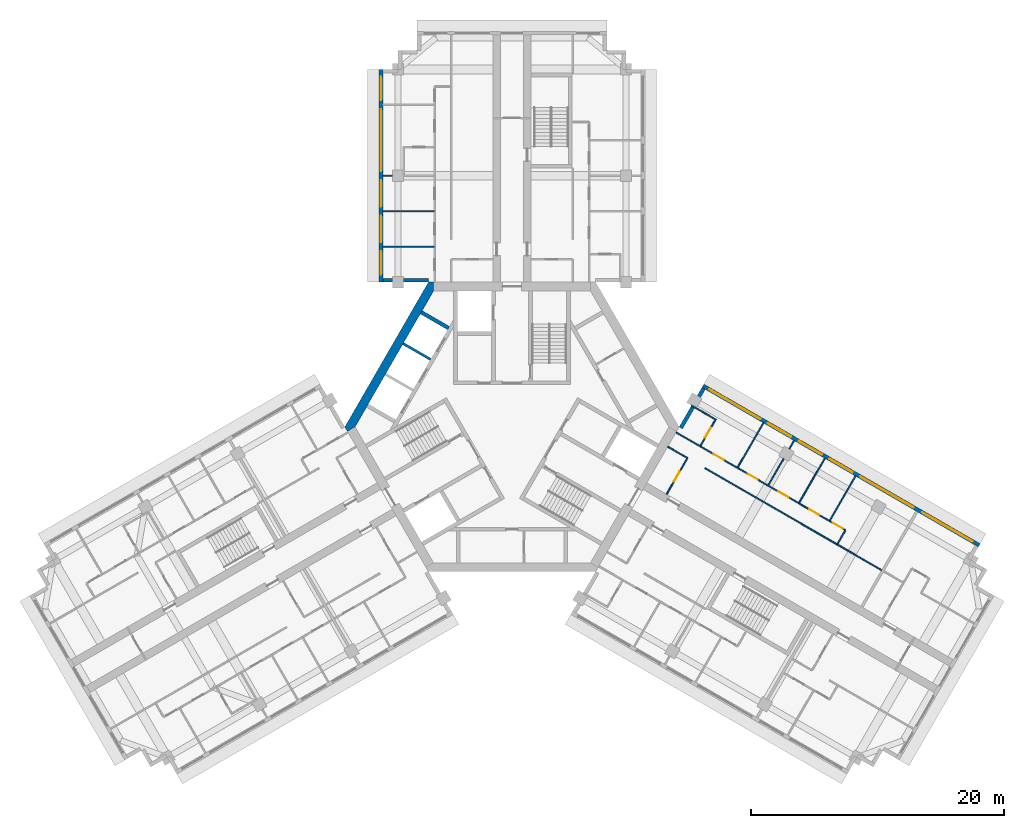
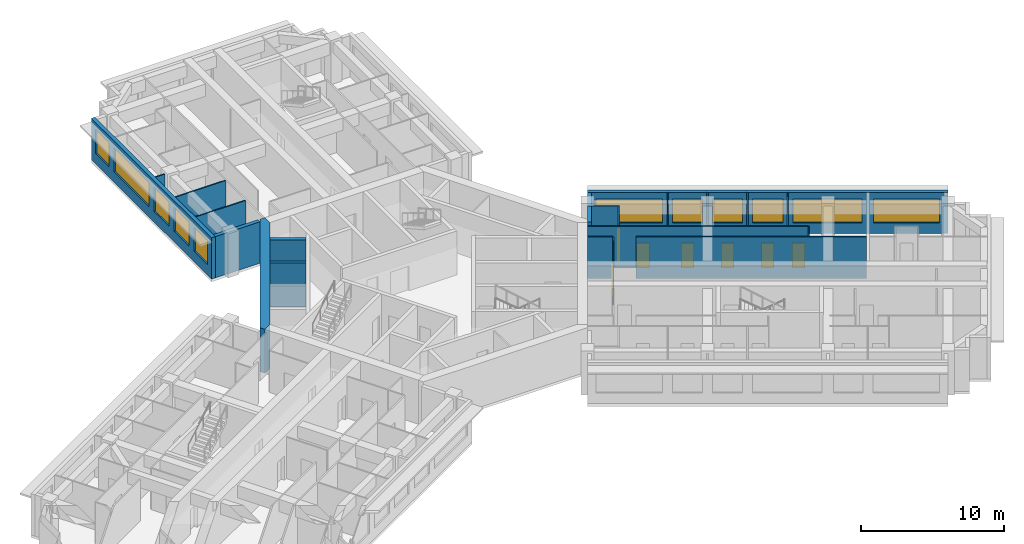
# One storey, part 7 of 12: 22 walls, 11 windows, 7 doors, 18 openings.
"""IFC4 building model written with IfcOpenShell, lengths in metres."""

from ifc_helpers import new_model, si_unit, direction, frame, frame_2d, origin, place, context, subcontext, project, spatial, polyline, rectangle, outline, extrude, material, layer, layer_set, type_object, element, fill, save


model = new_model("IFC4")

# Units and contexts
model_context = context("Model", 3, precision=1e-05, world=origin(), true_north=direction((0.0, 1.0)))
body_context = subcontext(model_context, "Body", "Model", "MODEL_VIEW")
ifc_project = project(units=[si_unit("LENGTHUNIT", "METRE"), si_unit("AREAUNIT", "SQUARE_METRE"), si_unit("VOLUMEUNIT", "CUBIC_METRE"), si_unit("PLANEANGLEUNIT", "RADIAN"), si_unit("MASSUNIT", "GRAM", prefix="KILO")], contexts=[model_context])

# Site, building, storey
site_placement = place(None, origin())
site = spatial("IfcSite", under=ifc_project, at=site_placement, CompositionType="ELEMENT")
building_placement = place(site_placement, origin())
building = spatial("IfcBuilding", under=site, at=building_placement, Name="Impinga Residences", CompositionType="ELEMENT")
storey_placement = place(building_placement, frame((0.0, 0.0, 214.75)))
storey = spatial("IfcBuildingStorey", under=building, at=storey_placement, Name="L53", CompositionType="ELEMENT", Elevation=214.75)

# Wall
ifc_material_1 = material(Name="Terracotta rainscreen on blockwork", Category="masonry")
ifc_layer_1 = layer(ifc_material_1, 0.300048828125)
ifc_layer_set_1 = layer_set([ifc_layer_1], Name="EW1 external wall, terracotta rainscreen on blockwork 300")
wall_type_1 = type_object("IfcWallType", Name="EW1 external wall, terracotta rainscreen on blockwork 300", PredefinedType="SOLIDWALL", material=ifc_layer_set_1)
wall_1_placement = place(storey_placement, frame((-6.60009765625, 11.58154296875, 0.0), z_axis=(0.0, 0.0, 1.0), x_axis=(-1.0, 0.0, 0.0)))
element("IfcWall", 1, at=wall_1_placement, inside=storey, type_object=wall_type_1, Name="External wall EW1 L53", PredefinedType="SOLIDWALL", context=body_context, shape_type="SweptSolid", body=[
    extrude(rectangle(XDim=3.599853515625, YDim=0.300048828125, at=frame_2d((1.7998046875, 0.0))), origin(), (0.0, 0.0, 1.0), 3.530029296875),
])

# Wall, openings, windows
wall_2_placement = place(storey_placement, frame((-10.35009765625, 11.431640625, 0.0), z_axis=(0.0, 0.0, 1.0), x_axis=(0.0, 1.0, 0.0)))
wall_2 = element("IfcWall", 2, at=wall_2_placement, inside=storey, type_object=wall_type_1, Name="External wall EW1 L53", PredefinedType="SOLIDWALL", context=body_context, shape_type="SweptSolid", body=[
    extrude(rectangle(XDim=16.7998046875, YDim=0.300048828125, at=frame_2d((8.39990234375, 0.0))), origin(), (0.0, 0.0, 1.0), 3.530029296875),
])
opening_1_placement = place(wall_2_placement, frame((0.60009765625, 0.0, 0.89990234375)))
opening_1 = element("IfcOpeningElement", 3, at=opening_1_placement, cuts=wall_2, Name="Opening W15", PredefinedType="OPENING", context=body_context, shape_type="SweptSolid", body=[
    extrude(rectangle(XDim=1.85009765625, YDim=2.050048828125, at=frame_2d((0.925048828125, 1.02490234375))), frame((0.0, 0.159912109375, 0.0), z_axis=(0.0, -1.0, 0.0), x_axis=(1.0, 0.0, 0.0)), (0.0, 0.0, 1.0), 0.320068359375),
])
opening_2_placement = place(wall_2_placement, frame((3.14990234375, 0.0, 0.89990234375)))
opening_2 = element("IfcOpeningElement", 4, at=opening_2_placement, cuts=wall_2, Name="Opening W9", PredefinedType="OPENING", context=body_context, shape_type="SweptSolid", body=[
    extrude(rectangle(XDim=2.10009765625, YDim=2.050048828125, at=frame_2d((1.050048828125, 1.02490234375))), frame((0.0, 0.159912109375, 0.0), z_axis=(0.0, -1.0, 0.0), x_axis=(1.0, 0.0, 0.0)), (0.0, 0.0, 1.0), 0.320068359375),
])
opening_3_placement = place(wall_2_placement, frame((5.949951171875, 0.0, 0.89990234375)))
opening_3 = element("IfcOpeningElement", 5, at=opening_3_placement, cuts=wall_2, Name="Opening W9", PredefinedType="OPENING", context=body_context, shape_type="SweptSolid", body=[
    extrude(rectangle(XDim=2.10009765625, YDim=2.050048828125, at=frame_2d((1.050048828125, 1.02490234375))), frame((0.0, 0.159912109375, 0.0), z_axis=(0.0, -1.0, 0.0), x_axis=(1.0, 0.0, 0.0)), (0.0, 0.0, 1.0), 0.320068359375),
])
opening_4_placement = place(wall_2_placement, frame((8.75, 0.0, 0.89990234375)))
opening_4 = element("IfcOpeningElement", 6, at=opening_4_placement, cuts=wall_2, Name="Opening W16", PredefinedType="OPENING", context=body_context, shape_type="SweptSolid", body=[
    extrude(rectangle(XDim=4.89990234375, YDim=2.050048828125, at=frame_2d((2.449951171875, 1.02490234375))), frame((0.0, 0.159912109375, 0.0), z_axis=(0.0, -1.0, 0.0), x_axis=(1.0, 0.0, 0.0)), (0.0, 0.0, 1.0), 0.320068359375),
])
opening_5_placement = place(wall_2_placement, frame((14.35009765625, 0.0, 0.89990234375)))
opening_5 = element("IfcOpeningElement", 7, at=opening_5_placement, cuts=wall_2, Name="Opening W15", PredefinedType="OPENING", context=body_context, shape_type="SweptSolid", body=[
    extrude(rectangle(XDim=1.85009765625, YDim=2.050048828125, at=frame_2d((0.925048828125, 1.02490234375))), frame((0.0, 0.159912109375, 0.0), z_axis=(0.0, -1.0, 0.0), x_axis=(1.0, 0.0, 0.0)), (0.0, 0.0, 1.0), 0.320068359375),
])
ifc_material_2 = material(Name="Aluminium window, clear double glazing", Category="aluminium")
window_type_1 = type_object("IfcWindowType", Name="W15 ribbon window 1850x2050", PartitioningType="SINGLE_PANEL", PredefinedType="WINDOW", material=ifc_material_2)
window_1_placement = place(opening_1_placement, origin())
window_1 = element("IfcWindow", 8, at=window_1_placement, inside=storey, type_object=window_type_1, Name="Window L53", OverallHeight=2.050048828125, OverallWidth=1.85009765625, PartitioningType="SINGLE_PANEL", PredefinedType="WINDOW", context=body_context, shape_type="SweptSolid", body=[
    extrude(rectangle(XDim=1.85009765625, YDim=2.050048828125, at=frame_2d((0.925048828125, 1.02490234375))), frame((0.0, 0.030029296875, 0.0), z_axis=(0.0, -1.0, 0.0), x_axis=(1.0, 0.0, 0.0)), (0.0, 0.0, 1.0), 0.06005859375),
])
fill(opening_1, window_1)
window_2_placement = place(opening_5_placement, origin())
window_2 = element("IfcWindow", 9, at=window_2_placement, inside=storey, type_object=window_type_1, Name="Window L53", OverallHeight=2.050048828125, OverallWidth=1.85009765625, PartitioningType="SINGLE_PANEL", PredefinedType="WINDOW", context=body_context, shape_type="SweptSolid", body=[
    extrude(rectangle(XDim=1.85009765625, YDim=2.050048828125, at=frame_2d((0.925048828125, 1.02490234375))), frame((0.0, 0.030029296875, 0.0), z_axis=(0.0, -1.0, 0.0), x_axis=(1.0, 0.0, 0.0)), (0.0, 0.0, 1.0), 0.06005859375),
])
fill(opening_5, window_2)
window_type_2 = type_object("IfcWindowType", Name="W16 ribbon window 4900x2050", PartitioningType="SINGLE_PANEL", PredefinedType="WINDOW", material=ifc_material_2)
window_3_placement = place(opening_4_placement, origin())
window_3 = element("IfcWindow", 10, at=window_3_placement, inside=storey, type_object=window_type_2, Name="Window L53", OverallHeight=2.050048828125, OverallWidth=4.89990234375, PartitioningType="SINGLE_PANEL", PredefinedType="WINDOW", context=body_context, shape_type="SweptSolid", body=[
    extrude(rectangle(XDim=4.89990234375, YDim=2.050048828125, at=frame_2d((2.449951171875, 1.02490234375))), frame((0.0, 0.030029296875, 0.0), z_axis=(0.0, -1.0, 0.0), x_axis=(1.0, 0.0, 0.0)), (0.0, 0.0, 1.0), 0.06005859375),
])
fill(opening_4, window_3)
window_type_3 = type_object("IfcWindowType", Name="W9 ribbon window 2100x2050", PartitioningType="SINGLE_PANEL", PredefinedType="WINDOW", material=ifc_material_2)
window_4_placement = place(opening_2_placement, origin())
window_4 = element("IfcWindow", 11, at=window_4_placement, inside=storey, type_object=window_type_3, Name="Window L53", OverallHeight=2.050048828125, OverallWidth=2.10009765625, PartitioningType="SINGLE_PANEL", PredefinedType="WINDOW", context=body_context, shape_type="SweptSolid", body=[
    extrude(rectangle(XDim=2.10009765625, YDim=2.050048828125, at=frame_2d((1.050048828125, 1.02490234375))), frame((0.0, 0.030029296875, 0.0), z_axis=(0.0, -1.0, 0.0), x_axis=(1.0, 0.0, 0.0)), (0.0, 0.0, 1.0), 0.06005859375),
])
fill(opening_2, window_4)
window_5_placement = place(opening_3_placement, origin())
window_5 = element("IfcWindow", 12, at=window_5_placement, inside=storey, type_object=window_type_3, Name="Window L53", OverallHeight=2.050048828125, OverallWidth=2.10009765625, PartitioningType="SINGLE_PANEL", PredefinedType="WINDOW", context=body_context, shape_type="SweptSolid", body=[
    extrude(rectangle(XDim=2.10009765625, YDim=2.050048828125, at=frame_2d((1.050048828125, 1.02490234375))), frame((0.0, 0.030029296875, 0.0), z_axis=(0.0, -1.0, 0.0), x_axis=(1.0, 0.0, 0.0)), (0.0, 0.0, 1.0), 0.06005859375),
])
fill(opening_3, window_5)

# Wall
wall_3_placement = place(storey_placement, frame((13.329833984375, -0.074951171875, 0.0), z_axis=(0.0, 0.0, 1.0), x_axis=(0.500012057535, 0.866018442252, 0.0)))
element("IfcWall", 13, at=wall_3_placement, inside=storey, type_object=wall_type_1, Name="External wall EW1 L53", PredefinedType="SOLIDWALL", context=body_context, shape_type="SweptSolid", body=[
    extrude(rectangle(XDim=3.60009765625, YDim=0.300048828125, at=frame_2d((1.800048828125, 0.0))), origin(), (0.0, 0.0, 1.0), 3.530029296875),
])

# Wall, openings, windows
wall_4_placement = place(storey_placement, frame((15.074951171875, 3.24755859375, 0.0), z_axis=(0.0, 0.0, 1.0), x_axis=(0.86602925447, -0.499993330357, 0.0)))
wall_4 = element("IfcWall", 14, at=wall_4_placement, inside=storey, type_object=wall_type_1, Name="External wall EW1 L53", PredefinedType="SOLIDWALL", context=body_context, shape_type="SweptSolid", body=[
    extrude(rectangle(XDim=25.199951171875, YDim=0.300048828125, at=frame_2d((12.60009765625, 0.0))), origin(), (0.0, 0.0, 1.0), 3.530029296875),
])
opening_6_placement = place(wall_4_placement, frame((0.60009765625, 0.0, 0.89990234375)))
opening_6 = element("IfcOpeningElement", 15, at=opening_6_placement, cuts=wall_4, Name="Opening W10", PredefinedType="OPENING", context=body_context, shape_type="SweptSolid", body=[
    extrude(rectangle(XDim=4.64990234375, YDim=2.050048828125, at=frame_2d((2.324951171875, 1.02490234375))), frame((0.0, 0.159912109375, 0.0), z_axis=(0.0, -1.0, 0.0), x_axis=(1.0, 0.0, 0.0)), (0.0, 0.0, 1.0), 0.320068359375),
])
opening_7_placement = place(wall_4_placement, frame((5.949951171875, 0.0, 0.89990234375)))
opening_7 = element("IfcOpeningElement", 16, at=opening_7_placement, cuts=wall_4, Name="Opening W9", PredefinedType="OPENING", context=body_context, shape_type="SweptSolid", body=[
    extrude(rectangle(XDim=2.10009765625, YDim=2.050048828125, at=frame_2d((1.050048828125, 1.02490234375))), frame((0.0, 0.159912109375, 0.0), z_axis=(0.0, -1.0, 0.0), x_axis=(1.0, 0.0, 0.0)), (0.0, 0.0, 1.0), 0.320068359375),
])
opening_8_placement = place(wall_4_placement, frame((8.75, 0.0, 0.89990234375)))
opening_8 = element("IfcOpeningElement", 17, at=opening_8_placement, cuts=wall_4, Name="Opening W9", PredefinedType="OPENING", context=body_context, shape_type="SweptSolid", body=[
    extrude(rectangle(XDim=2.10009765625, YDim=2.050048828125, at=frame_2d((1.050048828125, 1.02490234375))), frame((0.0, 0.159912109375, 0.0), z_axis=(0.0, -1.0, 0.0), x_axis=(1.0, 0.0, 0.0)), (0.0, 0.0, 1.0), 0.320068359375),
])
opening_9_placement = place(wall_4_placement, frame((11.550048828125, 0.0, 0.89990234375)))
opening_9 = element("IfcOpeningElement", 18, at=opening_9_placement, cuts=wall_4, Name="Opening W9", PredefinedType="OPENING", context=body_context, shape_type="SweptSolid", body=[
    extrude(rectangle(XDim=2.10009765625, YDim=2.050048828125, at=frame_2d((1.050048828125, 1.02490234375))), frame((0.0, 0.159912109375, 0.0), z_axis=(0.0, -1.0, 0.0), x_axis=(1.0, 0.0, 0.0)), (0.0, 0.0, 1.0), 0.320068359375),
])
opening_10_placement = place(wall_4_placement, frame((14.35009765625, 0.0, 0.89990234375)))
opening_10 = element("IfcOpeningElement", 19, at=opening_10_placement, cuts=wall_4, Name="Opening W6", PredefinedType="OPENING", context=body_context, shape_type="SweptSolid", body=[
    extrude(rectangle(XDim=4.85009765625, YDim=2.050048828125, at=frame_2d((2.425048828125, 1.02490234375))), frame((0.0, 0.159912109375, 0.0), z_axis=(0.0, -1.0, 0.0), x_axis=(1.0, 0.0, 0.0)), (0.0, 0.0, 1.0), 0.320068359375),
])
opening_11_placement = place(wall_4_placement, frame((20.0, 0.0, 0.89990234375)))
opening_11 = element("IfcOpeningElement", 20, at=opening_11_placement, cuts=wall_4, Name="Opening W3", PredefinedType="OPENING", context=body_context, shape_type="SweptSolid", body=[
    extrude(rectangle(XDim=4.60009765625, YDim=2.050048828125, at=frame_2d((2.300048828125, 1.02490234375))), frame((0.0, 0.159912109375, 0.0), z_axis=(0.0, -1.0, 0.0), x_axis=(1.0, 0.0, 0.0)), (0.0, 0.0, 1.0), 0.320068359375),
])
window_type_4 = type_object("IfcWindowType", Name="W10 ribbon window 4650x2050", PartitioningType="SINGLE_PANEL", PredefinedType="WINDOW", material=ifc_material_2)
window_6_placement = place(opening_6_placement, origin())
window_6 = element("IfcWindow", 21, at=window_6_placement, inside=storey, type_object=window_type_4, Name="Window L53", OverallHeight=2.050048828125, OverallWidth=4.64990234375, PartitioningType="SINGLE_PANEL", PredefinedType="WINDOW", context=body_context, shape_type="SweptSolid", body=[
    extrude(rectangle(XDim=4.64990234375, YDim=2.050048828125, at=frame_2d((2.324951171875, 1.02490234375))), frame((0.0, 0.030029296875, 0.0), z_axis=(0.0, -1.0, 0.0), x_axis=(1.0, 0.0, 0.0)), (0.0, 0.0, 1.0), 0.06005859375),
])
fill(opening_6, window_6)
window_type_5 = type_object("IfcWindowType", Name="W3 ribbon window 4600x2050", PartitioningType="SINGLE_PANEL", PredefinedType="WINDOW", material=ifc_material_2)
window_7_placement = place(opening_11_placement, origin())
window_7 = element("IfcWindow", 22, at=window_7_placement, inside=storey, type_object=window_type_5, Name="Window L53", OverallHeight=2.050048828125, OverallWidth=4.60009765625, PartitioningType="SINGLE_PANEL", PredefinedType="WINDOW", context=body_context, shape_type="SweptSolid", body=[
    extrude(rectangle(XDim=4.60009765625, YDim=2.050048828125, at=frame_2d((2.300048828125, 1.02490234375))), frame((0.0, 0.030029296875, 0.0), z_axis=(0.0, -1.0, 0.0), x_axis=(1.0, 0.0, 0.0)), (0.0, 0.0, 1.0), 0.06005859375),
])
fill(opening_11, window_7)
window_type_6 = type_object("IfcWindowType", Name="W6 ribbon window 4850x2050", PartitioningType="SINGLE_PANEL", PredefinedType="WINDOW", material=ifc_material_2)
window_8_placement = place(opening_10_placement, origin())
window_8 = element("IfcWindow", 23, at=window_8_placement, inside=storey, type_object=window_type_6, Name="Window L53", OverallHeight=2.050048828125, OverallWidth=4.85009765625, PartitioningType="SINGLE_PANEL", PredefinedType="WINDOW", context=body_context, shape_type="SweptSolid", body=[
    extrude(rectangle(XDim=4.85009765625, YDim=2.050048828125, at=frame_2d((2.425048828125, 1.02490234375))), frame((0.0, 0.030029296875, 0.0), z_axis=(0.0, -1.0, 0.0), x_axis=(1.0, 0.0, 0.0)), (0.0, 0.0, 1.0), 0.06005859375),
])
fill(opening_10, window_8)
window_9_placement = place(opening_7_placement, origin())
window_9 = element("IfcWindow", 24, at=window_9_placement, inside=storey, type_object=window_type_3, Name="Window L53", OverallHeight=2.050048828125, OverallWidth=2.10009765625, PartitioningType="SINGLE_PANEL", PredefinedType="WINDOW", context=body_context, shape_type="SweptSolid", body=[
    extrude(rectangle(XDim=2.10009765625, YDim=2.050048828125, at=frame_2d((1.050048828125, 1.02490234375))), frame((0.0, 0.030029296875, 0.0), z_axis=(0.0, -1.0, 0.0), x_axis=(1.0, 0.0, 0.0)), (0.0, 0.0, 1.0), 0.06005859375),
])
fill(opening_7, window_9)
window_10_placement = place(opening_8_placement, origin())
window_10 = element("IfcWindow", 25, at=window_10_placement, inside=storey, type_object=window_type_3, Name="Window L53", OverallHeight=2.050048828125, OverallWidth=2.10009765625, PartitioningType="SINGLE_PANEL", PredefinedType="WINDOW", context=body_context, shape_type="SweptSolid", body=[
    extrude(rectangle(XDim=2.10009765625, YDim=2.050048828125, at=frame_2d((1.050048828125, 1.02490234375))), frame((0.0, 0.030029296875, 0.0), z_axis=(0.0, -1.0, 0.0), x_axis=(1.0, 0.0, 0.0)), (0.0, 0.0, 1.0), 0.06005859375),
])
fill(opening_8, window_10)
window_11_placement = place(opening_9_placement, origin())
window_11 = element("IfcWindow", 26, at=window_11_placement, inside=storey, type_object=window_type_3, Name="Window L53", OverallHeight=2.050048828125, OverallWidth=2.10009765625, PartitioningType="SINGLE_PANEL", PredefinedType="WINDOW", context=body_context, shape_type="SweptSolid", body=[
    extrude(rectangle(XDim=2.10009765625, YDim=2.050048828125, at=frame_2d((1.050048828125, 1.02490234375))), frame((0.0, 0.030029296875, 0.0), z_axis=(0.0, -1.0, 0.0), x_axis=(1.0, 0.0, 0.0)), (0.0, 0.0, 1.0), 0.06005859375),
])
fill(opening_9, window_11)

# Walls
ifc_material_3 = material(Name="Gypsum board on steel studs", Category="steel")
ifc_layer_2 = layer(ifc_material_3, 0.10009765625)
ifc_layer_set_2 = layer_set([ifc_layer_2], Name="Gypsum board on steel studs")
wall_type_2 = type_object("IfcWallType", Name="IP1 partition 100", PredefinedType="PARTITIONING", material=ifc_layer_set_2)
for number, where, z_axis, x_axis, name in (
    (27, (-6.14990234375, 14.2314453125, 0.0), (0.0, 0.0, 1.0), (-1.0, 0.0, 0.0), "Partition L53-NA1:OB1"),
    (28, (-6.14990234375, 17.031494140625, 0.0), (0.0, 0.0, 1.0), (-1.0, 0.0, 0.0), "Partition L53-NA1:OB2"),
):
    element("IfcWall", number, at=place(storey_placement, frame(where, z_axis=z_axis, x_axis=x_axis)), inside=storey, type_object=wall_type_2, Name=name, PredefinedType="PARTITIONING", context=body_context, shape_type="SweptSolid", body=[
        extrude(rectangle(XDim=4.050048828125, YDim=0.10009765625, at=frame_2d((2.02490234375, 0.0))), origin(), (0.0, 0.0, 1.0), 3.530029296875),
    ])
wall_5_placement = place(storey_placement, frame((-9.449951171875, 19.83154296875, 0.0), z_axis=(0.0, 0.0, 1.0), x_axis=(-1.0, 0.0, 0.0)))
element("IfcWall", 29, at=wall_5_placement, inside=storey, type_object=wall_type_2, Name="Partition L53-NA1:OB3b", PredefinedType="PARTITIONING", context=body_context, shape_type="SweptSolid", body=[
    extrude(rectangle(XDim=0.75, YDim=0.10009765625, at=frame_2d((0.375, 0.0))), origin(), (0.0, 0.0, 1.0), 3.530029296875),
])
wall_6_placement = place(storey_placement, frame((12.300048828125, -1.558837890625, 0.0), z_axis=(0.0, 0.0, 1.0), x_axis=(0.866047807691, -0.499961193289, 0.0)))
element("IfcWall", 30, at=wall_6_placement, inside=storey, type_object=wall_type_2, Name="Partition L53-EA1:DIV0", PredefinedType="PARTITIONING", context=body_context, shape_type="SweptSolid", body=[
    extrude(rectangle(XDim=1.800048828125, YDim=0.10009765625, at=frame_2d((0.89990234375, 0.0))), origin(), (0.0, 0.0, 1.0), 3.530029296875),
])
wall_7_placement = place(storey_placement, frame((15.244384765625, -3.2587890625, 0.0), z_axis=(0.0, 0.0, 1.0), x_axis=(0.866025740127, -0.499999417437, 0.0)))
element("IfcWall", 31, at=wall_7_placement, inside=storey, type_object=wall_type_2, Name="Partition L53-EA1:DIV1", PredefinedType="PARTITIONING", context=body_context, shape_type="SweptSolid", body=[
    extrude(rectangle(XDim=16.10009765625, YDim=0.10009765625, at=frame_2d((8.050048828125, 0.0))), origin(), (0.0, 0.0, 1.0), 3.530029296875),
])

# Wall, openings, doors
wall_8_placement = place(storey_placement, frame((12.949951171875, -0.43310546875, 0.0), z_axis=(0.0, 0.0, 1.0), x_axis=(0.866030066916, -0.499991923133, 0.0)))
wall_8 = element("IfcWall", 32, at=wall_8_placement, inside=storey, type_object=wall_type_2, Name="Partition L53-EA1:STRIP", PredefinedType="PARTITIONING", context=body_context, shape_type="SweptSolid", body=[
    extrude(rectangle(XDim=15.449951171875, YDim=0.10009765625, at=frame_2d((7.72509765625, 0.0))), origin(), (0.0, 0.0, 1.0), 3.530029296875),
])
opening_12_placement = place(wall_8_placement, frame((3.449951171875, 0.0, 0.0)))
opening_12 = element("IfcOpeningElement", 33, at=opening_12_placement, cuts=wall_8, Name="Opening D2", PredefinedType="OPENING", context=body_context, shape_type="SweptSolid", body=[
    extrude(rectangle(XDim=0.89990234375, YDim=2.10009765625, at=frame_2d((0.449951171875, 1.050048828125))), frame((0.0, 0.06005859375, 0.0), z_axis=(0.0, -1.0, 0.0), x_axis=(1.0, 0.0, 0.0)), (0.0, 0.0, 1.0), 0.1201171875),
])
opening_13_placement = place(wall_8_placement, frame((6.550048828125, 0.0, 0.0)))
opening_13 = element("IfcOpeningElement", 34, at=opening_13_placement, cuts=wall_8, Name="Opening D2", PredefinedType="OPENING", context=body_context, shape_type="SweptSolid", body=[
    extrude(rectangle(XDim=0.89990234375, YDim=2.10009765625, at=frame_2d((0.449951171875, 1.050048828125))), frame((0.0, 0.06005859375, 0.0), z_axis=(0.0, -1.0, 0.0), x_axis=(1.0, 0.0, 0.0)), (0.0, 0.0, 1.0), 0.1201171875),
])
opening_14_placement = place(wall_8_placement, frame((9.35009765625, 0.0, 0.0)))
opening_14 = element("IfcOpeningElement", 35, at=opening_14_placement, cuts=wall_8, Name="Opening D2", PredefinedType="OPENING", context=body_context, shape_type="SweptSolid", body=[
    extrude(rectangle(XDim=0.89990234375, YDim=2.10009765625, at=frame_2d((0.449951171875, 1.050048828125))), frame((0.0, 0.06005859375, 0.0), z_axis=(0.0, -1.0, 0.0), x_axis=(1.0, 0.0, 0.0)), (0.0, 0.0, 1.0), 0.1201171875),
])
opening_15_placement = place(wall_8_placement, frame((12.14990234375, 0.0, 0.0)))
opening_15 = element("IfcOpeningElement", 36, at=opening_15_placement, cuts=wall_8, Name="Opening D2", PredefinedType="OPENING", context=body_context, shape_type="SweptSolid", body=[
    extrude(rectangle(XDim=0.89990234375, YDim=2.10009765625, at=frame_2d((0.449951171875, 1.050048828125))), frame((0.0, 0.06005859375, 0.0), z_axis=(0.0, -1.0, 0.0), x_axis=(1.0, 0.0, 0.0)), (0.0, 0.0, 1.0), 0.1201171875),
])
opening_16_placement = place(wall_8_placement, frame((14.300048828125, 0.0, 0.0)))
opening_16 = element("IfcOpeningElement", 37, at=opening_16_placement, cuts=wall_8, Name="Opening D2", PredefinedType="OPENING", context=body_context, shape_type="SweptSolid", body=[
    extrude(rectangle(XDim=0.89990234375, YDim=2.10009765625, at=frame_2d((0.449951171875, 1.050048828125))), frame((0.0, 0.06005859375, 0.0), z_axis=(0.0, -1.0, 0.0), x_axis=(1.0, 0.0, 0.0)), (0.0, 0.0, 1.0), 0.1201171875),
])
ifc_material_4 = material(Name="Timber door set", Category="wood")
door_type = type_object("IfcDoorType", Name="D2 internal door 900x2100", OperationType="SINGLE_SWING_LEFT", PredefinedType="DOOR", material=ifc_material_4)
door_1_placement = place(opening_12_placement, origin())
door_1 = element("IfcDoor", 38, at=door_1_placement, inside=storey, type_object=door_type, Name="Apartment L53-EA1 room door", OperationType="SINGLE_SWING_LEFT", OverallHeight=2.10009765625, OverallWidth=0.89990234375, PredefinedType="DOOR", context=body_context, shape_type="SweptSolid", body=[
    extrude(rectangle(XDim=0.89990234375, YDim=2.10009765625, at=frame_2d((0.449951171875, 1.050048828125))), frame((0.0, 0.02490234375, 0.0), z_axis=(0.0, -1.0, 0.0), x_axis=(1.0, 0.0, 0.0)), (0.0, 0.0, 1.0), 0.050048828125),
])
fill(opening_12, door_1)
door_2_placement = place(opening_13_placement, origin())
door_2 = element("IfcDoor", 39, at=door_2_placement, inside=storey, type_object=door_type, Name="Apartment L53-EA1 room door", OperationType="SINGLE_SWING_LEFT", OverallHeight=2.10009765625, OverallWidth=0.89990234375, PredefinedType="DOOR", context=body_context, shape_type="SweptSolid", body=[
    extrude(rectangle(XDim=0.89990234375, YDim=2.10009765625, at=frame_2d((0.449951171875, 1.050048828125))), frame((0.0, 0.02490234375, 0.0), z_axis=(0.0, -1.0, 0.0), x_axis=(1.0, 0.0, 0.0)), (0.0, 0.0, 1.0), 0.050048828125),
])
fill(opening_13, door_2)
door_3_placement = place(opening_14_placement, origin())
door_3 = element("IfcDoor", 40, at=door_3_placement, inside=storey, type_object=door_type, Name="Apartment L53-EA1 room door", OperationType="SINGLE_SWING_RIGHT", OverallHeight=2.10009765625, OverallWidth=0.89990234375, PredefinedType="DOOR", context=body_context, shape_type="SweptSolid", body=[
    extrude(rectangle(XDim=0.89990234375, YDim=2.10009765625, at=frame_2d((0.449951171875, 1.050048828125))), frame((0.0, 0.02490234375, 0.0), z_axis=(0.0, -1.0, 0.0), x_axis=(1.0, 0.0, 0.0)), (0.0, 0.0, 1.0), 0.050048828125),
])
fill(opening_14, door_3)
door_4_placement = place(opening_15_placement, origin())
door_4 = element("IfcDoor", 41, at=door_4_placement, inside=storey, type_object=door_type, Name="Apartment L53-EA1 room door", OperationType="SINGLE_SWING_RIGHT", OverallHeight=2.10009765625, OverallWidth=0.89990234375, PredefinedType="DOOR", context=body_context, shape_type="SweptSolid", body=[
    extrude(rectangle(XDim=0.89990234375, YDim=2.10009765625, at=frame_2d((0.449951171875, 1.050048828125))), frame((0.0, 0.02490234375, 0.0), z_axis=(0.0, -1.0, 0.0), x_axis=(1.0, 0.0, 0.0)), (0.0, 0.0, 1.0), 0.050048828125),
])
fill(opening_15, door_4)
door_5_placement = place(opening_16_placement, origin())
door_5 = element("IfcDoor", 42, at=door_5_placement, inside=storey, type_object=door_type, Name="Apartment L53-EA1 room door", OperationType="SINGLE_SWING_RIGHT", OverallHeight=2.10009765625, OverallWidth=0.89990234375, PredefinedType="DOOR", context=body_context, shape_type="SweptSolid", body=[
    extrude(rectangle(XDim=0.89990234375, YDim=2.10009765625, at=frame_2d((0.449951171875, 1.050048828125))), frame((0.0, 0.02490234375, 0.0), z_axis=(0.0, -1.0, 0.0), x_axis=(1.0, 0.0, 0.0)), (0.0, 0.0, 1.0), 0.050048828125),
])
fill(opening_16, door_5)

# Wall
wall_9_placement = place(storey_placement, frame((25.705078125, -9.240478515625, 0.0), z_axis=(0.0, 0.0, 1.0), x_axis=(0.50012165622, 0.865955154139, 0.0)))
element("IfcWall", 43, at=wall_9_placement, inside=storey, type_object=wall_type_2, Name="Partition L53-EA1:SE1", PredefinedType="PARTITIONING", context=body_context, shape_type="SweptSolid", body=[
    extrude(rectangle(XDim=1.199951171875, YDim=0.10009765625, at=frame_2d((0.60009765625, 0.0))), origin(), (0.0, 0.0, 1.0), 3.530029296875),
])

# Wall, opening, door
wall_10_placement = place(storey_placement, frame((12.208740234375, -5.316650390625, 0.0), z_axis=(0.0, 0.0, 1.0), x_axis=(0.500017246033, 0.866015446554, 0.0)))
wall_10 = element("IfcWall", 44, at=wall_10_placement, inside=storey, type_object=wall_type_2, Name="Partition L53-EA1:IB1", PredefinedType="PARTITIONING", context=body_context, shape_type="SweptSolid", body=[
    extrude(rectangle(XDim=3.25, YDim=0.10009765625, at=frame_2d((1.625, 0.0))), origin(), (0.0, 0.0, 1.0), 3.530029296875),
])
opening_17_placement = place(wall_10_placement, frame((1.175048828125, 0.0, 0.0)))
opening_17 = element("IfcOpeningElement", 45, at=opening_17_placement, cuts=wall_10, Name="Opening D2", PredefinedType="OPENING", context=body_context, shape_type="SweptSolid", body=[
    extrude(rectangle(XDim=0.89990234375, YDim=2.10009765625, at=frame_2d((0.449951171875, 1.050048828125))), frame((0.0, 0.06005859375, 0.0), z_axis=(0.0, -1.0, 0.0), x_axis=(1.0, 0.0, 0.0)), (0.0, 0.0, 1.0), 0.1201171875),
])
door_6_placement = place(opening_17_placement, origin())
door_6 = element("IfcDoor", 46, at=door_6_placement, inside=storey, type_object=door_type, Name="Apartment L53-EA1 bathroom door", OperationType="SINGLE_SWING_LEFT", OverallHeight=2.10009765625, OverallWidth=0.89990234375, PredefinedType="DOOR", context=body_context, shape_type="SweptSolid", body=[
    extrude(rectangle(XDim=0.89990234375, YDim=2.10009765625, at=frame_2d((0.449951171875, 1.050048828125))), frame((0.0, 0.02490234375, 0.0), z_axis=(0.0, -1.0, 0.0), x_axis=(1.0, 0.0, 0.0)), (0.0, 0.0, 1.0), 0.050048828125),
])
fill(opening_17, door_6)

# Walls
wall_11_placement = place(storey_placement, frame((17.82470703125, -3.189697265625, 0.0), z_axis=(0.0, 0.0, 1.0), x_axis=(0.500035537042, 0.866004885491, 0.0)))
element("IfcWall", 47, at=wall_11_placement, inside=storey, type_object=wall_type_2, Name="Partition L53-EA1:OB1", PredefinedType="PARTITIONING", context=body_context, shape_type="SweptSolid", body=[
    extrude(rectangle(XDim=4.050048828125, YDim=0.10009765625, at=frame_2d((2.02490234375, 0.0))), origin(), (0.0, 0.0, 1.0), 3.530029296875),
])
wall_12_placement = place(storey_placement, frame((20.24951171875, -4.589599609375, 0.0), z_axis=(0.0, 0.0, 1.0), x_axis=(0.500077600433, 0.865980596518, 0.0)))
element("IfcWall", 48, at=wall_12_placement, inside=storey, type_object=wall_type_2, Name="Partition L53-EA1:OB2", PredefinedType="PARTITIONING", context=body_context, shape_type="SweptSolid", body=[
    extrude(rectangle(XDim=2.39990234375, YDim=0.10009765625, at=frame_2d((1.199951171875, 0.0))), origin(), (0.0, 0.0, 1.0), 2.47998046875),
])
wall_13_placement = place(storey_placement, frame((21.899658203125, -1.73193359375, 0.0), z_axis=(0.0, 0.0, 1.0), x_axis=(0.499919672301, 0.866071776036, 0.0)))
element("IfcWall", 49, at=wall_13_placement, inside=storey, type_object=wall_type_2, Name="Partition L53-EA1:OB2b", PredefinedType="PARTITIONING", context=body_context, shape_type="SweptSolid", body=[
    extrude(rectangle(XDim=0.75, YDim=0.10009765625, at=frame_2d((0.375, 0.0))), origin(), (0.0, 0.0, 1.0), 3.530029296875),
])
for number, where, z_axis, x_axis, name in (
    (50, (22.674560546875, -5.98974609375, 0.0), (0.0, 0.0, 1.0), (0.499990325971, 0.866030989016, 0.0), "Partition L53-EA1:OB3"),
    (51, (25.099365234375, -7.3896484375, 0.0), (0.0, 0.0, 1.0), (0.499990325971, 0.866030989016, 0.0), "Partition L53-EA1:OB4"),
):
    element("IfcWall", number, at=place(storey_placement, frame(where, z_axis=z_axis, x_axis=x_axis)), inside=storey, type_object=wall_type_2, Name=name, PredefinedType="PARTITIONING", context=body_context, shape_type="SweptSolid", body=[
        extrude(rectangle(XDim=4.0498046875, YDim=0.10009765625, at=frame_2d((2.02490234375, 0.0))), origin(), (0.0, 0.0, 1.0), 3.530029296875),
    ])

# Wall, opening, door
wall_14_placement = place(storey_placement, frame((14.88037109375, -1.48974609375, 0.0), z_axis=(0.0, 0.0, 1.0), x_axis=(0.499943856944, 0.866057815567, 0.0)))
wall_14 = element("IfcWall", 52, at=wall_14_placement, inside=storey, type_object=wall_type_2, Name="Partition L53-EA1:EN1", PredefinedType="PARTITIONING", context=body_context, shape_type="SweptSolid", body=[
    extrude(rectangle(XDim=2.449951171875, YDim=0.10009765625, at=frame_2d((1.22509765625, 0.0))), origin(), (0.0, 0.0, 1.0), 3.530029296875),
])
opening_18_placement = place(wall_14_placement, frame((0.75, 0.0, 0.0)))
opening_18 = element("IfcOpeningElement", 53, at=opening_18_placement, cuts=wall_14, Name="Opening D2", PredefinedType="OPENING", context=body_context, shape_type="SweptSolid", body=[
    extrude(rectangle(XDim=0.89990234375, YDim=2.10009765625, at=frame_2d((0.449951171875, 1.050048828125))), frame((0.0, 0.06005859375, 0.0), z_axis=(0.0, -1.0, 0.0), x_axis=(1.0, 0.0, 0.0)), (0.0, 0.0, 1.0), 0.1201171875),
])
door_7_placement = place(opening_18_placement, origin())
door_7 = element("IfcDoor", 54, at=door_7_placement, inside=storey, type_object=door_type, Name="Apartment L53-EA1 en-suite door", OperationType="SINGLE_SWING_LEFT", OverallHeight=2.10009765625, OverallWidth=0.89990234375, PredefinedType="DOOR", context=body_context, shape_type="SweptSolid", body=[
    extrude(rectangle(XDim=0.89990234375, YDim=2.10009765625, at=frame_2d((0.449951171875, 1.050048828125))), frame((0.0, 0.02490234375, 0.0), z_axis=(0.0, -1.0, 0.0), x_axis=(1.0, 0.0, 0.0)), (0.0, 0.0, 1.0), 0.050048828125),
])
fill(opening_18, door_7)

# Walls
wall_15_placement = place(storey_placement, frame((14.175048828125, 1.688720703125, 0.0), z_axis=(0.0, 0.0, 1.0), x_axis=(0.866019166195, -0.500010803666, 0.0)))
element("IfcWall", 55, at=wall_15_placement, inside=storey, type_object=wall_type_2, Name="Partition L53-EA1:EN2", PredefinedType="PARTITIONING", context=body_context, shape_type="SweptSolid", body=[
    extrude(rectangle(XDim=2.14990234375, YDim=0.10009765625, at=frame_2d((1.074951171875, 0.0))), origin(), (0.0, 0.0, 1.0), 3.530029296875),
])
ifc_material_5 = material(Name="Concrete C60/75", Category="concrete")
ifc_layer_3 = layer(ifc_material_5, 0.699951171875)
ifc_layer_set_3 = layer_set([ifc_layer_3], Name="Concrete C60/75")
wall_type_3 = type_object("IfcWallType", Name="SW3 core wall 700", PredefinedType="SHEAR", material=ifc_layer_set_3)
wall_16_placement = place(storey_placement, origin())
element("IfcWall", 56, at=wall_16_placement, inside=storey, type_object=wall_type_3, Name="Core wall SW3 E:EXPOSED L53", PredefinedType="SHEAR", context=body_context, shape_type="SweptSolid", body=[
    extrude(outline(polyline([(-6.60009765625, 11.431640625), (-13.199951171875, 0.0), (-12.998046875, -0.35009765625), (-12.3916015625, 0.0), (-6.19580078125, 10.7314453125), (-6.19580078125, 11.431640625), (-6.60009765625, 11.431640625)])), origin(), (0.0, 0.0, 1.0), 3.75),
])
ifc_material_6 = material(Name="Concrete C70/85", Category="concrete")
ifc_layer_4 = layer(ifc_material_6, 0.300048828125)
ifc_layer_set_4 = layer_set([ifc_layer_4], Name="Concrete C70/85")
wall_type_4 = type_object("IfcWallType", Name="SW5 core inner wall, stairs, shafts and lobbies 300", PredefinedType="SHEAR", material=ifc_layer_set_4)
wall_17_placement = place(storey_placement, frame((-5.003662109375, 7.79638671875, 0.0), z_axis=(0.0, 0.0, 1.0), x_axis=(-0.866022959057, 0.500004234368, 0.0)))
element("IfcWall", 57, at=wall_17_placement, inside=storey, type_object=wall_type_4, Name="Core wall SW5 E:BANK-R L53", PredefinedType="SHEAR", context=body_context, shape_type="SweptSolid", body=[
    extrude(rectangle(XDim=2.5, YDim=0.300048828125, at=frame_2d((1.25, 0.0))), origin(), (0.0, 0.0, 1.0), 3.75),
])
ifc_layer_5 = layer(ifc_material_6, 0.199951171875)
ifc_layer_set_5 = layer_set([ifc_layer_5], Name="Concrete C70/85")
wall_type_5 = type_object("IfcWallType", Name="SW6 lift shaft divider wall 200", PredefinedType="SHEAR", material=ifc_layer_set_5)
wall_18_placement = place(storey_placement, frame((-6.4287109375, 5.328125, 0.0), z_axis=(0.0, 0.0, 1.0), x_axis=(-0.866022959057, 0.500004234368, 0.0)))
element("IfcWall", 58, at=wall_18_placement, inside=storey, type_object=wall_type_5, Name="Core wall SW6 E:BANK-D2 L53", PredefinedType="SHEAR", context=body_context, shape_type="SweptSolid", body=[
    extrude(rectangle(XDim=2.5, YDim=0.199951171875, at=frame_2d((1.25, 0.0))), origin(), (0.0, 0.0, 1.0), 3.75),
])

save(model, "model.ifc")
